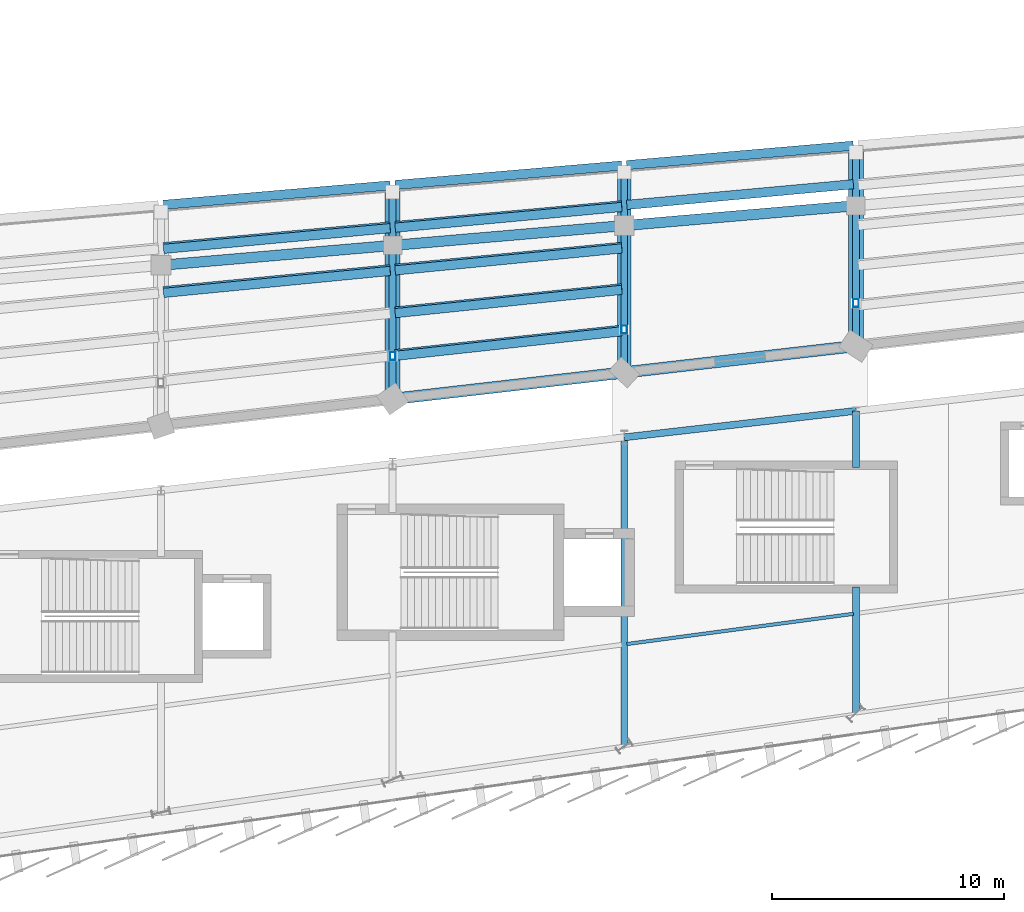
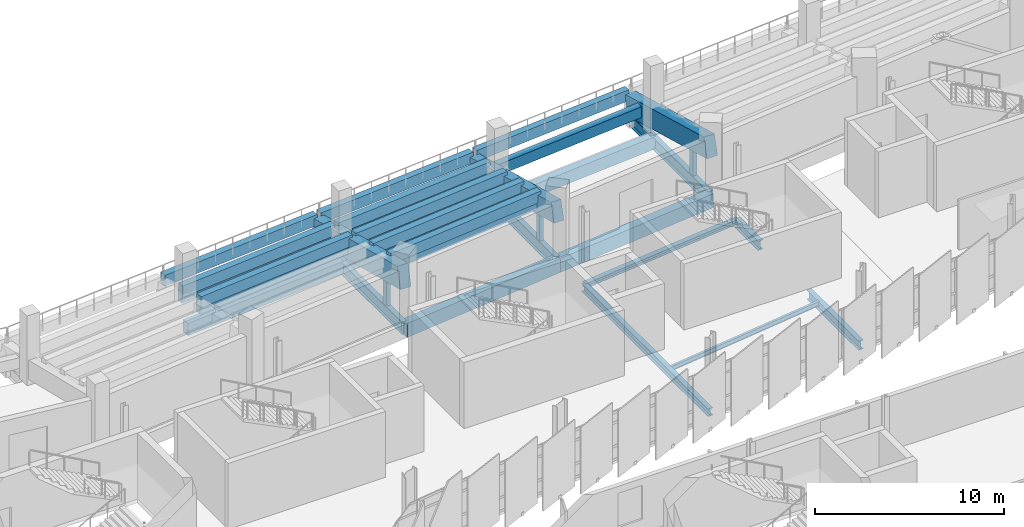
# One storey, part 39 of 120: 32 beams, 3 members.
"""IFC4 building model written with IfcOpenShell, lengths in metres."""

from ifc_helpers import new_model, si_unit, direction, frame, origin, origin_2d, place, context, subcontext, project, spatial, rectangle, hollow_rectangle, i_section, extrude, material, material_profile, profile_set, type_object, element, save


model = new_model("IFC4")

# Units and contexts
model_context = context("Model", 3, precision=1e-05, world=origin(), true_north=direction((0.0, 1.0)))
body_context = subcontext(model_context, "Body", "Model", "MODEL_VIEW")
ifc_project = project(units=[si_unit("LENGTHUNIT", "METRE"), si_unit("AREAUNIT", "SQUARE_METRE"), si_unit("VOLUMEUNIT", "CUBIC_METRE"), si_unit("PLANEANGLEUNIT", "RADIAN"), si_unit("MASSUNIT", "GRAM", prefix="KILO")], contexts=[model_context])

# Site, building, storey
site_placement = place(None, origin())
site = spatial("IfcSite", under=ifc_project, at=site_placement, CompositionType="ELEMENT")
building_placement = place(site_placement, origin())
building = spatial("IfcBuilding", under=site, at=building_placement, Name="Sohan Crest Arena", CompositionType="ELEMENT")
storey_placement = place(building_placement, frame((0.0, 0.0, 13.5)))
storey = spatial("IfcBuildingStorey", under=building, at=storey_placement, Name="L03", CompositionType="ELEMENT", Elevation=13.5)

# Beams
ifc_material_1 = material(Name="Steel S355", Category="steel")
ifc_material_profile_1 = material_profile(ifc_material_1, i_section(OverallWidth=0.14990234375, OverallDepth=0.300048828125, WebThickness=0.007080078125, FlangeThickness=0.0107421875, at=origin_2d()), Name="IPE 300")
ifc_profile_set_1 = profile_set([ifc_material_profile_1], Name="Steel S355")
beam_type_1 = type_object("IfcBeamType", Name="STR-BM-B01", PredefinedType="JOIST", material=ifc_profile_set_1)
beam_1_placement = place(storey_placement, frame((128.10888671875, 38.7041015625, -0.39990234375), z_axis=(0.991232437337, 0.132129690721, 0.0), x_axis=(-0.132129690721, 0.991232437337, 0.0)))
element("IfcBeam", 1, at=beam_1_placement, inside=storey, type_object=beam_type_1, Name="Structural beam J-L03-1464", PredefinedType="JOIST", context=body_context, shape_type="SweptSolid", body=[
    extrude(i_section(OverallWidth=0.14990234375, OverallDepth=0.300048828125, WebThickness=0.007080078125, FlangeThickness=0.0107421875, at=origin_2d()), origin(), (0.0, 0.0, 1.0), 9.86865234375),
])
ifc_material_profile_2 = material_profile(ifc_material_1, i_section(OverallWidth=0.300048828125, OverallDepth=0.590087890625, WebThickness=0.012939453125, FlangeThickness=0.02490234375, at=origin_2d()), Name="HEA 600")
ifc_profile_set_2 = profile_set([ifc_material_profile_2], Name="Steel S355")
beam_type_2 = type_object("IfcBeamType", Name="STR-BM-B11", PredefinedType="BEAM", material=ifc_profile_set_2)
beam_2_placement = place(storey_placement, frame((138.0, 48.77099609375, -0.544921875), z_axis=(0.0, -1.0, 0.0), x_axis=(1.0, 0.0, 0.0)))
element("IfcBeam", 2, at=beam_2_placement, inside=storey, type_object=beam_type_2, Name="Structural beam G-L03-1465", PredefinedType="BEAM", context=body_context, shape_type="SweptSolid", body=[
    extrude(i_section(OverallWidth=0.300048828125, OverallDepth=0.590087890625, WebThickness=0.012939453125, FlangeThickness=0.02490234375, at=origin_2d()), origin(), (0.0, 0.0, 1.0), 2.44091796875),
])
beam_3_placement = place(storey_placement, frame((138.0, 41.169921875, -0.544921875), z_axis=(0.0, -1.0, 0.0), x_axis=(1.0, 0.0, 0.0)))
element("IfcBeam", 3, at=beam_3_placement, inside=storey, type_object=beam_type_2, Name="Structural beam G-L03-1466", PredefinedType="BEAM", context=body_context, shape_type="SweptSolid", body=[
    extrude(i_section(OverallWidth=0.300048828125, OverallDepth=0.590087890625, WebThickness=0.012939453125, FlangeThickness=0.02490234375, at=origin_2d()), origin(), (0.0, 0.0, 1.0), 5.455810546875),
])
ifc_material_profile_3 = material_profile(ifc_material_1, i_section(OverallWidth=0.300048828125, OverallDepth=0.300048828125, WebThickness=0.010986328125, FlangeThickness=0.01904296875, at=origin_2d()), Name="HEB 300")
ifc_profile_set_3 = profile_set([ifc_material_profile_3], Name="Steel S355")
beam_type_3 = type_object("IfcBeamType", Name="STR-BM-B12", PredefinedType="BEAM", material=ifc_profile_set_3)
beam_4_placement = place(storey_placement, frame((128.0, 47.62890625, -0.39990234375), z_axis=(0.993541269973, 0.113471339378, 0.0), x_axis=(-0.113471339378, 0.993541269973, 0.0)))
element("IfcBeam", 4, at=beam_4_placement, inside=storey, type_object=beam_type_3, Name="Structural beam G-L03-1462", PredefinedType="BEAM", context=body_context, shape_type="SweptSolid", body=[
    extrude(i_section(OverallWidth=0.300048828125, OverallDepth=0.300048828125, WebThickness=0.010986328125, FlangeThickness=0.01904296875, at=origin_2d()), origin(), (0.0, 0.0, 1.0), 10.06494140625),
])
ifc_material_profile_4 = material_profile(ifc_material_1, i_section(OverallWidth=0.300048828125, OverallDepth=0.5, WebThickness=0.014404296875, FlangeThickness=0.028076171875, at=origin_2d()), Name="HEB 500")
ifc_profile_set_4 = profile_set([ifc_material_profile_4], Name="Steel S355")
beam_type_4 = type_object("IfcBeamType", Name="STR-BM-B14", PredefinedType="BEAM", material=ifc_profile_set_4)
beam_5_placement = place(storey_placement, frame((128.0, 47.62890625, -0.5), z_axis=(0.0, -1.0, 0.0), x_axis=(1.0, 0.0, 0.0)))
element("IfcBeam", 5, at=beam_5_placement, inside=storey, type_object=beam_type_4, Name="Structural beam G-L03-1461", PredefinedType="BEAM", context=body_context, shape_type="SweptSolid", body=[
    extrude(i_section(OverallWidth=0.300048828125, OverallDepth=0.5, WebThickness=0.014404296875, FlangeThickness=0.028076171875, at=origin_2d()), origin(), (0.0, 0.0, 1.0), 13.343017578125),
])
ifc_material_profile_5 = material_profile(ifc_material_1, i_section(OverallWidth=0.300048828125, OverallDepth=0.800048828125, WebThickness=0.017578125, FlangeThickness=0.032958984375, at=origin_2d()), Name="HEB 800")
ifc_profile_set_5 = profile_set([ifc_material_profile_5], Name="Steel S355")
beam_type_5 = type_object("IfcBeamType", Name="STR-BM-B17", PredefinedType="BEAM", material=ifc_profile_set_5)
beam_6_placement = place(storey_placement, frame((118.0, 49.285888671875, -0.64990234375), z_axis=(0.0, 1.0, 0.0), x_axis=(-1.0, 0.0, 0.0)))
element("IfcBeam", 6, at=beam_6_placement, inside=storey, type_object=beam_type_5, Name="Structural beam GC-L03-0854", PredefinedType="BEAM", context=body_context, shape_type="SweptSolid", body=[
    extrude(i_section(OverallWidth=0.300048828125, OverallDepth=0.800048828125, WebThickness=0.017578125, FlangeThickness=0.032958984375, at=origin_2d()), origin(), (0.0, 0.0, 1.0), 8.92822265625),
])
beam_7_placement = place(storey_placement, frame((128.0, 50.428955078125, -0.64990234375), z_axis=(0.0, 1.0, 0.0), x_axis=(-1.0, 0.0, 0.0)))
element("IfcBeam", 7, at=beam_7_placement, inside=storey, type_object=beam_type_5, Name="Structural beam GC-L03-0857", PredefinedType="BEAM", context=body_context, shape_type="SweptSolid", body=[
    extrude(i_section(OverallWidth=0.300048828125, OverallDepth=0.800048828125, WebThickness=0.017578125, FlangeThickness=0.032958984375, at=origin_2d()), origin(), (0.0, 0.0, 1.0), 8.64208984375),
])
beam_8_placement = place(storey_placement, frame((138.0, 51.571044921875, -0.64990234375), z_axis=(0.0, 1.0, 0.0), x_axis=(-1.0, 0.0, 0.0)))
element("IfcBeam", 8, at=beam_8_placement, inside=storey, type_object=beam_type_5, Name="Structural beam GC-L03-0860", PredefinedType="BEAM", context=body_context, shape_type="SweptSolid", body=[
    extrude(i_section(OverallWidth=0.300048828125, OverallDepth=0.800048828125, WebThickness=0.017578125, FlangeThickness=0.032958984375, at=origin_2d()), origin(), (0.0, 0.0, 1.0), 8.35791015625),
])
ifc_material_2 = material(Name="Precast concrete C50/60", Category="concrete")
ifc_material_profile_6 = material_profile(ifc_material_2, rectangle(XDim=0.60009765625, YDim=1.199951171875, at=origin_2d()), Name="RAKER 600x1200")
ifc_profile_set_6 = profile_set([ifc_material_profile_6], Name="Precast concrete C50/60")
beam_type_6 = type_object("IfcBeamType", Name="STR-BM-RK04", PredefinedType="USERDEFINED", material=ifc_profile_set_6)
beam_9_placement = place(storey_placement, frame((128.0, 59.071044921875, 0.35009765625), z_axis=(0.0, -0.966367121163, 0.25716645803), x_axis=(1.0, 0.0, 0.0)))
element("IfcBeam", 9, at=beam_9_placement, inside=storey, type_object=beam_type_6, Name="Structural beam RKU-L03-0858", ObjectType="RAKER", PredefinedType="USERDEFINED", context=body_context, shape_type="SweptSolid", body=[
    extrude(rectangle(XDim=0.60009765625, YDim=1.199951171875, at=origin_2d()), origin(), (0.0, 0.0, 1.0), 8.94287109375),
])
ifc_material_profile_7 = material_profile(ifc_material_2, rectangle(XDim=0.64990234375, YDim=1.25, at=origin_2d()), Name="RAKER 650x1250")
ifc_profile_set_7 = profile_set([ifc_material_profile_7], Name="Precast concrete C50/60")
beam_type_7 = type_object("IfcBeamType", Name="STR-BM-RK05", PredefinedType="USERDEFINED", material=ifc_profile_set_7)
beam_10_placement = place(storey_placement, frame((138.0, 59.928955078125, 0.35009765625), z_axis=(0.0, -0.964164698374, 0.265304418376), x_axis=(1.0, 0.0, 0.0)))
element("IfcBeam", 10, at=beam_10_placement, inside=storey, type_object=beam_type_7, Name="Structural beam RKU-L03-0861", ObjectType="RAKER", PredefinedType="USERDEFINED", context=body_context, shape_type="SweptSolid", body=[
    extrude(rectangle(XDim=0.64990234375, YDim=1.25, at=origin_2d()), origin(), (0.0, 0.0, 1.0), 8.66845703125),
])
ifc_material_profile_8 = material_profile(ifc_material_2, rectangle(XDim=0.64990234375, YDim=1.35009765625, at=origin_2d()), Name="RAKER 650x1350")
ifc_profile_set_8 = profile_set([ifc_material_profile_8], Name="Precast concrete C50/60")
beam_type_8 = type_object("IfcBeamType", Name="STR-BM-RK06", PredefinedType="USERDEFINED", material=ifc_profile_set_8)
beam_11_placement = place(storey_placement, frame((118.0, 58.214111328125, 0.35009765625), z_axis=(0.0, -0.968388832398, 0.249445523686), x_axis=(1.0, 0.0, 0.0)))
element("IfcBeam", 11, at=beam_11_placement, inside=storey, type_object=beam_type_8, Name="Structural beam RKU-L03-0855", ObjectType="RAKER", PredefinedType="USERDEFINED", context=body_context, shape_type="SweptSolid", body=[
    extrude(rectangle(XDim=0.64990234375, YDim=1.35009765625, at=origin_2d()), origin(), (0.0, 0.0, 1.0), 9.2197265625),
])
ifc_material_3 = material(Name="Concrete C40/50", Category="concrete")
ifc_material_profile_9 = material_profile(ifc_material_3, rectangle(XDim=0.39990234375, YDim=0.699951171875, at=origin_2d()), Name="RC-BM 400x700")
ifc_profile_set_9 = profile_set([ifc_material_profile_9], Name="Concrete C40/50")
beam_type_9 = type_object("IfcBeamType", Name="STR-BM-TB01", PredefinedType="BEAM", material=ifc_profile_set_9)
beam_12_placement = place(storey_placement, frame((108.110107421875, 57.666015625, 0.85595703125), z_axis=(0.996341446953, 0.085461810668, 0.0), x_axis=(-0.085461810668, 0.996341446953, 0.0)))
element("IfcBeam", 12, at=beam_12_placement, inside=storey, type_object=beam_type_9, Name="Upper tier front stringer TSB-U112A", PredefinedType="BEAM", context=body_context, shape_type="SweptSolid", body=[
    extrude(rectangle(XDim=0.39990234375, YDim=0.699951171875, at=origin_2d()), origin(), (0.0, 0.0, 1.0), 9.815673828125),
])
beam_13_placement = place(storey_placement, frame((108.110107421875, 55.840087890625, 0.85595703125), z_axis=(0.99586769508, 0.090815934149, 0.0), x_axis=(-0.090815934149, 0.99586769508, 0.0)))
element("IfcBeam", 13, at=beam_13_placement, inside=storey, type_object=beam_type_9, Name="Upper tier rear stringer TSB-U112B", PredefinedType="BEAM", context=body_context, shape_type="SweptSolid", body=[
    extrude(rectangle(XDim=0.39990234375, YDim=0.699951171875, at=origin_2d()), origin(), (0.0, 0.0, 1.0), 9.8203125),
])
beam_14_placement = place(storey_placement, frame((108.110107421875, 55.763916015625, 1.31591796875), z_axis=(0.995847435054, 0.091037827829, 0.0), x_axis=(-0.091037827829, 0.995847435054, 0.0)))
element("IfcBeam", 14, at=beam_14_placement, inside=storey, type_object=beam_type_9, Name="Upper tier front stringer TSB-U113A", PredefinedType="BEAM", context=body_context, shape_type="SweptSolid", body=[
    extrude(rectangle(XDim=0.39990234375, YDim=0.699951171875, at=origin_2d()), origin(), (0.0, 0.0, 1.0), 9.820556640625),
])
beam_15_placement = place(storey_placement, frame((108.10888671875, 53.93896484375, 1.31591796875), z_axis=(0.995346555601, 0.096359920365, 0.0), x_axis=(-0.096359920365, 0.995346555601, 0.0)))
element("IfcBeam", 15, at=beam_15_placement, inside=storey, type_object=beam_type_9, Name="Upper tier rear stringer TSB-U113B", PredefinedType="BEAM", context=body_context, shape_type="SweptSolid", body=[
    extrude(rectangle(XDim=0.39990234375, YDim=0.699951171875, at=origin_2d()), origin(), (0.0, 0.0, 1.0), 9.827880859375),
])
beam_16_placement = place(storey_placement, frame((108.10888671875, 53.862060546875, 1.77587890625), z_axis=(0.995317921659, 0.096655236927, 0.0), x_axis=(-0.096655236927, 0.995317921659, 0.0)))
element("IfcBeam", 16, at=beam_16_placement, inside=storey, type_object=beam_type_9, Name="Upper tier front stringer TSB-U114A", PredefinedType="BEAM", context=body_context, shape_type="SweptSolid", body=[
    extrude(rectangle(XDim=0.39990234375, YDim=0.699951171875, at=origin_2d()), origin(), (0.0, 0.0, 1.0), 9.828125),
])
beam_17_placement = place(storey_placement, frame((118.110107421875, 58.52294921875, 0.85595703125), z_axis=(0.996339328782, 0.085486501399, 0.0), x_axis=(-0.085486501399, 0.996339328782, 0.0)))
element("IfcBeam", 17, at=beam_17_placement, inside=storey, type_object=beam_type_9, Name="Upper tier front stringer TSB-U122A", PredefinedType="BEAM", context=body_context, shape_type="SweptSolid", body=[
    extrude(rectangle(XDim=0.39990234375, YDim=0.699951171875, at=origin_2d()), origin(), (0.0, 0.0, 1.0), 9.815673828125),
])
beam_18_placement = place(storey_placement, frame((118.110107421875, 56.751953125, 0.85595703125), z_axis=(0.995865446367, 0.090840589671, 0.0), x_axis=(-0.090840589671, 0.995865446367, 0.0)))
element("IfcBeam", 18, at=beam_18_placement, inside=storey, type_object=beam_type_9, Name="Upper tier rear stringer TSB-U122B", PredefinedType="BEAM", context=body_context, shape_type="SweptSolid", body=[
    extrude(rectangle(XDim=0.39990234375, YDim=0.699951171875, at=origin_2d()), origin(), (0.0, 0.0, 1.0), 9.8203125),
])
beam_19_placement = place(storey_placement, frame((118.110107421875, 56.677978515625, 1.31591796875), z_axis=(0.995838414994, 0.091136442892, 0.0), x_axis=(-0.091136442892, 0.995838414994, 0.0)))
element("IfcBeam", 19, at=beam_19_placement, inside=storey, type_object=beam_type_9, Name="Upper tier front stringer TSB-U123A", PredefinedType="BEAM", context=body_context, shape_type="SweptSolid", body=[
    extrude(rectangle(XDim=0.39990234375, YDim=0.699951171875, at=origin_2d()), origin(), (0.0, 0.0, 1.0), 9.820556640625),
])
beam_20_placement = place(storey_placement, frame((118.10888671875, 54.907958984375, 1.31591796875), z_axis=(0.995346555601, 0.096359920365, 0.0), x_axis=(-0.096359920365, 0.995346555601, 0.0)))
element("IfcBeam", 20, at=beam_20_placement, inside=storey, type_object=beam_type_9, Name="Upper tier rear stringer TSB-U123B", PredefinedType="BEAM", context=body_context, shape_type="SweptSolid", body=[
    extrude(rectangle(XDim=0.39990234375, YDim=0.699951171875, at=origin_2d()), origin(), (0.0, 0.0, 1.0), 9.827880859375),
])
beam_21_placement = place(storey_placement, frame((118.10888671875, 54.833984375, 1.77587890625), z_axis=(0.995327475859, 0.096556800905, 0.0), x_axis=(-0.096556800905, 0.995327475859, 0.0)))
element("IfcBeam", 21, at=beam_21_placement, inside=storey, type_object=beam_type_9, Name="Upper tier front stringer TSB-U124A", PredefinedType="BEAM", context=body_context, shape_type="SweptSolid", body=[
    extrude(rectangle(XDim=0.39990234375, YDim=0.699951171875, at=origin_2d()), origin(), (0.0, 0.0, 1.0), 9.828125),
])
beam_22_placement = place(storey_placement, frame((118.10888671875, 53.06201171875, 1.77587890625), z_axis=(0.994775234017, 0.102089342175, 0.0), x_axis=(-0.102089342175, 0.994775234017, 0.0)))
element("IfcBeam", 22, at=beam_22_placement, inside=storey, type_object=beam_type_9, Name="Upper tier rear stringer TSB-U124B", PredefinedType="BEAM", context=body_context, shape_type="SweptSolid", body=[
    extrude(rectangle(XDim=0.39990234375, YDim=0.699951171875, at=origin_2d()), origin(), (0.0, 0.0, 1.0), 9.83349609375),
])
beam_23_placement = place(storey_placement, frame((118.10888671875, 52.988037109375, 2.236083984375), z_axis=(0.994742406315, 0.102408715834, 0.0), x_axis=(-0.102408715834, 0.994742406315, 0.0)))
element("IfcBeam", 23, at=beam_23_placement, inside=storey, type_object=beam_type_9, Name="Upper tier front stringer TSB-U125A", PredefinedType="BEAM", context=body_context, shape_type="SweptSolid", body=[
    extrude(rectangle(XDim=0.39990234375, YDim=0.699951171875, at=origin_2d()), origin(), (0.0, 0.0, 1.0), 9.833984375),
])
for number, where, z_axis, x_axis, name in (
    (24, (118.10888671875, 51.217041015625, 2.236083984375), (0.994179641162, 0.107735050462, 0.0), (-0.107735050462, 0.994179641162, 0.0), "Upper tier rear stringer TSB-U125B"),
    (25, (118.10888671875, 51.14404296875, 2.696044921875), (0.99416900605, 0.107833146159, 0.0), (-0.107833146159, 0.99416900605, 0.0), "Upper tier front stringer TSB-U126A"),
):
    element("IfcBeam", number, at=place(storey_placement, frame(where, z_axis=z_axis, x_axis=x_axis)), inside=storey, type_object=beam_type_9, Name=name, PredefinedType="BEAM", context=body_context, shape_type="SweptSolid", body=[
        extrude(rectangle(XDim=0.39990234375, YDim=0.699951171875, at=origin_2d()), origin(), (0.0, 0.0, 1.0), 9.839599609375),
    ])
beam_24_placement = place(storey_placement, frame((128.110107421875, 59.3798828125, 0.85595703125), z_axis=(0.99633085007, 0.085585262746, 0.0), x_axis=(-0.085585262746, 0.99633085007, 0.0)))
element("IfcBeam", 26, at=beam_24_placement, inside=storey, type_object=beam_type_9, Name="Upper tier front stringer TSB-U130A", PredefinedType="BEAM", context=body_context, shape_type="SweptSolid", body=[
    extrude(rectangle(XDim=0.39990234375, YDim=0.699951171875, at=origin_2d()), origin(), (0.0, 0.0, 1.0), 9.81591796875),
])
beam_25_placement = place(storey_placement, frame((128.110107421875, 57.6640625, 0.85595703125), z_axis=(0.995858696626, 0.090914555234, 0.0), x_axis=(-0.090914555234, 0.995858696626, 0.0)))
element("IfcBeam", 27, at=beam_25_placement, inside=storey, type_object=beam_type_9, Name="Upper tier rear stringer TSB-U130B", PredefinedType="BEAM", context=body_context, shape_type="SweptSolid", body=[
    extrude(rectangle(XDim=0.39990234375, YDim=0.699951171875, at=origin_2d()), origin(), (0.0, 0.0, 1.0), 9.820556640625),
])
ifc_material_profile_10 = material_profile(ifc_material_3, rectangle(XDim=0.449951171875, YDim=0.800048828125, at=origin_2d()), Name="RC-BM 450x800")
ifc_profile_set_10 = profile_set([ifc_material_profile_10], Name="Concrete C40/50")
beam_type_10 = type_object("IfcBeamType", Name="STR-BM-TB02", PredefinedType="BEAM", material=ifc_profile_set_10)
for number, where, z_axis, x_axis, name in (
    (28, (108.0, 55.056884765625, -0.64990234375), (0.996346353353, 0.085404590982, 0.0), (-0.085404590982, 0.996346353353, 0.0), "Structural beam TB-L03-0360"),
    (29, (118.0, 55.9140625, -0.64990234375), (0.996348422929, 0.085380443469, 0.0), (-0.085380443469, 0.996348422929, 0.0), "Structural beam TB-L03-0382"),
    (30, (128.0, 56.77099609375, -0.64990234375), (0.996340141164, 0.085477032618, 0.0), (-0.085477032618, 0.996340141164, 0.0), "Structural beam TB-L03-0404"),
):
    element("IfcBeam", number, at=place(storey_placement, frame(where, z_axis=z_axis, x_axis=x_axis)), inside=storey, type_object=beam_type_10, Name=name, PredefinedType="BEAM", context=body_context, shape_type="SweptSolid", body=[
        extrude(rectangle(XDim=0.449951171875, YDim=0.800048828125, at=origin_2d()), origin(), (0.0, 0.0, 1.0), 10.03662109375),
    ])
ifc_material_profile_11 = material_profile(ifc_material_3, rectangle(XDim=0.5, YDim=0.89990234375, at=origin_2d()), Name="RC-BM 500x900")
ifc_profile_set_11 = profile_set([ifc_material_profile_11], Name="Concrete C40/50")
beam_type_11 = type_object("IfcBeamType", Name="STR-BM-TB03", PredefinedType="BEAM", material=ifc_profile_set_11)
beam_26_placement = place(storey_placement, frame((118.0, 49.285888671875, -0.699951171875), z_axis=(0.99353032697, 0.113567114035, 0.0), x_axis=(-0.113567114035, 0.99353032697, 0.0)))
element("IfcBeam", 31, at=beam_26_placement, inside=storey, type_object=beam_type_11, Name="Structural beam TB-L03-0383", PredefinedType="BEAM", context=body_context, shape_type="SweptSolid", body=[
    extrude(rectangle(XDim=0.5, YDim=0.89990234375, at=origin_2d()), origin(), (0.0, 0.0, 1.0), 10.065185546875),
])
beam_27_placement = place(storey_placement, frame((128.0, 50.428955078125, -0.699951171875), z_axis=(0.993541269973, 0.113471339378, 0.0), x_axis=(-0.113471339378, 0.993541269973, 0.0)))
element("IfcBeam", 32, at=beam_27_placement, inside=storey, type_object=beam_type_11, Name="Structural beam TB-L03-0405", PredefinedType="BEAM", context=body_context, shape_type="SweptSolid", body=[
    extrude(rectangle(XDim=0.5, YDim=0.89990234375, at=origin_2d()), origin(), (0.0, 0.0, 1.0), 10.06494140625),
])

# Members
ifc_material_profile_12 = material_profile(ifc_material_1, hollow_rectangle(XDim=0.25, YDim=0.35009765625, WallThickness=0.012451171875, at=origin_2d()), Name="RHS 350x250x12.5")
ifc_profile_set_12 = profile_set([ifc_material_profile_12], Name="Steel S355")
member_type = type_object("IfcMemberType", Name="STR-MEM-CH04", PredefinedType="CHORD", material=ifc_profile_set_12)
member_1_placement = place(storey_placement, frame((118.0, 51.135986328125, -0.260009765625), z_axis=(0.0, 0.0, 1.0), x_axis=(1.0, 0.0, 0.0)))
element("IfcMember", 33, at=member_1_placement, inside=storey, type_object=member_type, Name="Upper tier rear raker support post RKP-O15", PredefinedType="CHORD", context=body_context, shape_type="SweptSolid", body=[
    extrude(hollow_rectangle(XDim=0.25, YDim=0.35009765625, WallThickness=0.012451171875, at=origin_2d()), origin(), (0.0, 0.0, 1.0), 2.0849609375),
])
member_2_placement = place(storey_placement, frame((128.0, 52.279052734375, -0.260009765625), z_axis=(0.0, 0.0, 1.0), x_axis=(1.0, 0.0, 0.0)))
element("IfcMember", 34, at=member_2_placement, inside=storey, type_object=member_type, Name="Upper tier rear raker support post RKP-O16", PredefinedType="CHORD", context=body_context, shape_type="SweptSolid", body=[
    extrude(hollow_rectangle(XDim=0.25, YDim=0.35009765625, WallThickness=0.012451171875, at=origin_2d()), origin(), (0.0, 0.0, 1.0), 2.159912109375),
])
member_3_placement = place(storey_placement, frame((138.0, 53.4208984375, -0.260009765625), z_axis=(0.0, 0.0, 1.0), x_axis=(1.0, 0.0, 0.0)))
element("IfcMember", 35, at=member_3_placement, inside=storey, type_object=member_type, Name="Upper tier rear raker support post RKP-O17", PredefinedType="CHORD", context=body_context, shape_type="SweptSolid", body=[
    extrude(hollow_rectangle(XDim=0.25, YDim=0.35009765625, WallThickness=0.012451171875, at=origin_2d()), origin(), (0.0, 0.0, 1.0), 2.135009765625),
])

save(model, "model.ifc")
